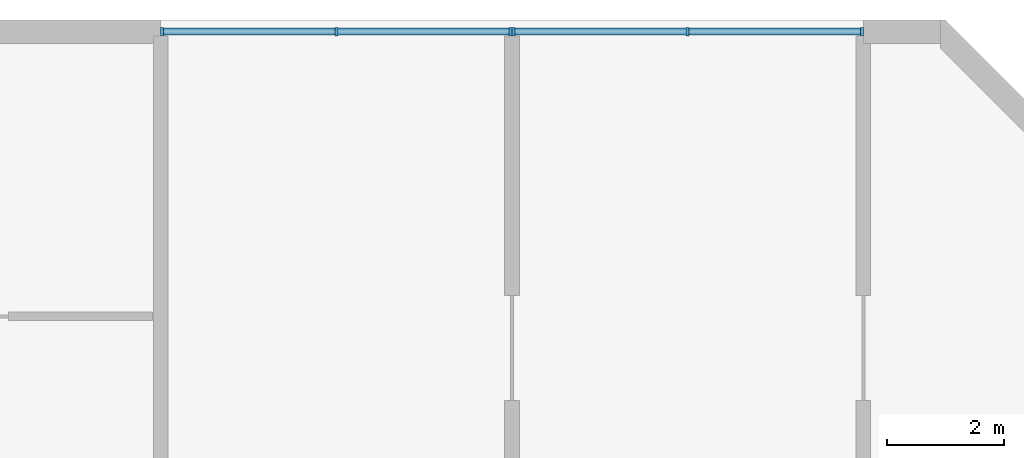
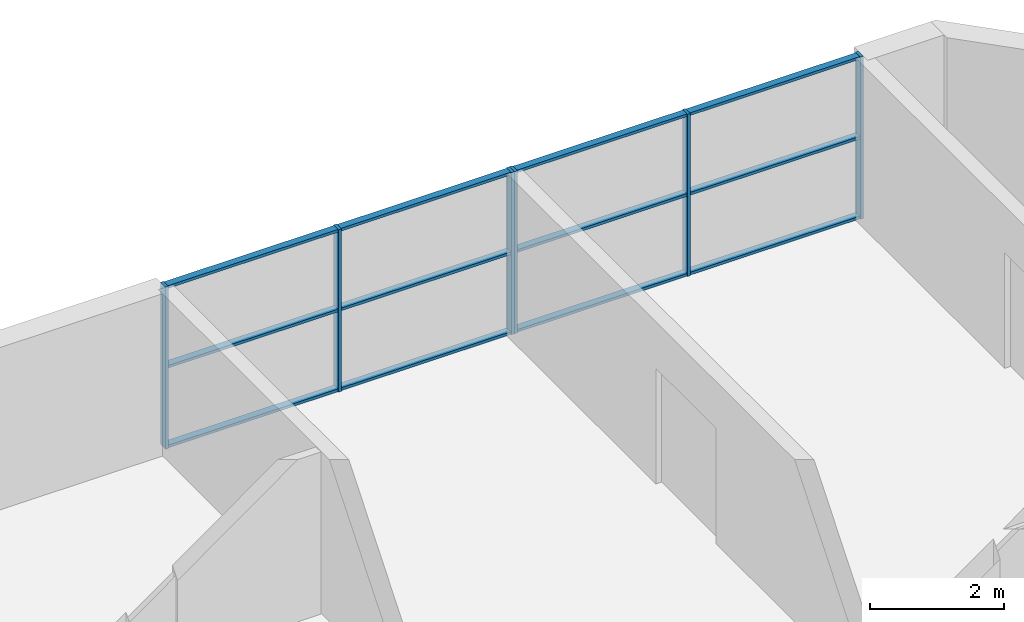
# One storey, part 3 of 13: 18 members, 2 elements without a shape of their own.
"""IFC4 building model written with IfcOpenShell, lengths in metres."""

import ifcopenshell
import ifcopenshell.guid

model = None  # the IFC model being written
_history = None  # IfcOwnerHistory: only IFC2X3 demands one
_inside = {}  # id of a spatial element -> (the spatial element, [elements in it])
_under = {}  # id of a project, library or spatial element -> (it, [spatial elements below it])
_declared = {}  # id of a project -> (the project, [libraries it declares])
_typed = {}  # id of a type object -> (the type object, [elements of that type])
_made_of = {}  # id of a material, layer set ... -> (it, [elements and type objects made of it])


def new_model(schema):
    """Start an empty IFC model of exactly this schema.

    Asked for "IFC4X3", IfcOpenShell would pick the latest addendum, in which some entities
    have other attributes; the version numbers below select the first issue.
    IFC2X3 requires an IfcOwnerHistory on every rooted entity: one is made here for all.
    """
    global model, _history
    if schema == "IFC4X3":
        model = ifcopenshell.file(schema_version=(4, 3, 0, 0))
    else:
        model = ifcopenshell.file(schema=schema)
    _inside.clear()
    _under.clear()
    _declared.clear()
    _typed.clear()
    _made_of.clear()
    _history = None
    if model.schema == "IFC2X3":
        org = make("IfcOrganization", Name="unknown")
        user = make(
            "IfcPersonAndOrganization",
            ThePerson=make("IfcPerson", FamilyName="unknown"),
            TheOrganization=org,
        )
        app = make(
            "IfcApplication",
            ApplicationDeveloper=org,
            Version="unknown",
            ApplicationFullName="unknown",
            ApplicationIdentifier="unknown",
        )
        _history = make(
            "IfcOwnerHistory",
            OwningUser=user,
            OwningApplication=app,
            ChangeAction="ADDED",
            CreationDate=0,
        )
    return model


def make(cls, **values):
    """One entity of the class cls with the attributes given. An attribute that is None is left unset."""
    return model.create_entity(
        cls, **{name: value for name, value in values.items() if value is not None}
    )


def rooted(cls, **values):
    """An entity with a GlobalId (a new one), such as an element, a storey or a relation."""
    return make(cls, GlobalId=ifcopenshell.guid.new(), OwnerHistory=_history, **values)


def si_unit(unit_type, name, prefix=None):
    """IfcSIUnit, for example si_unit("LENGTHUNIT", "METRE", prefix="MILLI")."""
    return make("IfcSIUnit", UnitType=unit_type, Prefix=prefix, Name=name)


def assignment(units):
    """IfcUnitAssignment: the units of a project."""
    return None if units is None else make("IfcUnitAssignment", Units=units)


def point(xyz):
    """IfcCartesianPoint."""
    return None if xyz is None else make("IfcCartesianPoint", Coordinates=xyz)


def direction(xyz):
    """IfcDirection."""
    return None if xyz is None else make("IfcDirection", DirectionRatios=xyz)


def frame(location, z_axis=None, x_axis=None):
    """IfcAxis2Placement3D, a coordinate frame: its origin and axes. An axis left out is left unset."""
    return make(
        "IfcAxis2Placement3D",
        Location=point(location),
        Axis=direction(z_axis),
        RefDirection=direction(x_axis),
    )


def frame_2d(location, x_axis=None):
    """IfcAxis2Placement2D, a coordinate frame in the plane: its origin and x axis."""
    return make(
        "IfcAxis2Placement2D", Location=point(location), RefDirection=direction(x_axis)
    )


def origin():
    """The frame at (0, 0, 0) with its axes left unset."""
    return frame((0.0, 0.0, 0.0))


def origin_2d():
    """The frame at (0, 0) in the plane with its x axis left unset."""
    return frame_2d((0.0, 0.0))


def place(relative_to, where):
    """IfcLocalPlacement: puts the frame where relative to a parent placement (None: the world)."""
    return make(
        "IfcLocalPlacement", PlacementRelTo=relative_to, RelativePlacement=where
    )


def context(
    kind, dimensions, precision=None, world=None, true_north=None, identifier=None
):
    """IfcGeometricRepresentationContext, for example the 3D "Model" context."""
    return make(
        "IfcGeometricRepresentationContext",
        ContextIdentifier=identifier,
        ContextType=kind,
        CoordinateSpaceDimension=dimensions,
        Precision=precision,
        WorldCoordinateSystem=world,
        TrueNorth=true_north,
    )


def subcontext(parent, identifier, kind, view, scale=None):
    """IfcGeometricRepresentationSubContext, for example "Body" below "Model"."""
    return make(
        "IfcGeometricRepresentationSubContext",
        ContextIdentifier=identifier,
        ContextType=kind,
        ParentContext=parent,
        TargetScale=scale,
        TargetView=view,
    )


def project(units=None, contexts=None):
    """IfcProject with its units and contexts."""
    return rooted(
        "IfcProject",
        Name="project",
        RepresentationContexts=contexts,
        UnitsInContext=assignment(units),
    )


def spatial(cls, under=None, at=None, **own):
    """A site, building, storey or space (cls), placed at a placement, below another one or the project."""
    s = rooted(cls, ObjectPlacement=at, **own)
    if under is not None:
        _under.setdefault(under.id(), (under, []))[1].append(s)
    return s


def profile(cls, at=None, kind="AREA", **sizes):
    """A parametric profile (cls). Its sizes go by their IFC names, for example OverallWidth=200.0."""
    return make(cls, ProfileType=kind, Position=at, **sizes)


def rectangle(**sizes):
    """IfcRectangleProfileDef."""
    return profile("IfcRectangleProfileDef", **sizes)


def extrude(swept, where, along, depth):
    """IfcExtrudedAreaSolid: the profile swept, set in the frame where, extruded along a direction by depth."""
    return make(
        "IfcExtrudedAreaSolid",
        SweptArea=swept,
        Position=where,
        ExtrudedDirection=direction(along),
        Depth=depth,
    )


def shape(context_of_items, identifier, shape_type, items):
    """IfcShapeRepresentation: the items that make up one representation, for example the "Body"."""
    return make(
        "IfcShapeRepresentation",
        ContextOfItems=context_of_items,
        RepresentationIdentifier=identifier,
        RepresentationType=shape_type,
        Items=items,
    )


def material(Name=None, Category=None):
    """IfcMaterial."""
    return make("IfcMaterial", Name=Name, Category=Category)


def layer(
    of_material, thickness, ventilated=None, Name=None, Category=None, Priority=None
):
    """IfcMaterialLayer: one layer of a wall or slab, of a material (None: an air gap)."""
    return make(
        "IfcMaterialLayer",
        Material=of_material,
        LayerThickness=thickness,
        IsVentilated=ventilated,
        Name=Name,
        Category=Category,
        Priority=Priority,
    )


def layer_set(layers, Name=None):
    """IfcMaterialLayerSet."""
    return make("IfcMaterialLayerSet", MaterialLayers=layers, LayerSetName=Name)


def material_profile(
    of_material, cross_section, Name=None, Category=None, Priority=None
):
    """IfcMaterialProfile: a cross section and its material."""
    return make(
        "IfcMaterialProfile",
        Name=Name,
        Material=of_material,
        Profile=cross_section,
        Priority=Priority,
        Category=Category,
    )


def profile_set(profiles, Name=None, composite=None):
    """IfcMaterialProfileSet."""
    return make(
        "IfcMaterialProfileSet",
        Name=Name,
        MaterialProfiles=profiles,
        CompositeProfile=composite,
    )


def made_of(thing, what):
    """Note that an element or type object is made of a material, layer set ...; save() writes the relation."""
    if what is not None:
        _made_of.setdefault(what.id(), (what, []))[1].append(thing)
    return thing


def type_object(cls, material=None, **own):
    """A type object (cls), such as IfcWallType, which elements share."""
    return made_of(rooted(cls, **own), material)


def element(
    cls,
    number,
    at=None,
    inside=None,
    cuts=None,
    type_object=None,
    material=None,
    context=None,
    identifier="Body",
    shape_type=None,
    held_by="IfcProductDefinitionShape",
    body=None,
    shapes=None,
    **own,
):
    """One element of the class cls, such as IfcWall. Its Tag is "e" and its number.

    at: its placement. inside: the storey or other place that contains it. cuts: it is an
    opening in that element (IfcRelVoidsElement). A single representation is given by context,
    identifier, shape_type and body (its items); several are given by shapes. held_by: the class
    of the entity that holds the representations. save() writes the other relations.
    """
    e = rooted(cls, Tag="e%d" % number, ObjectPlacement=at, **own)
    if body is not None:
        shapes = [shape(context, identifier, shape_type, body)]
    if shapes is not None:
        e.Representation = make(held_by, Representations=shapes)
    if inside is not None:
        _inside.setdefault(inside.id(), (inside, []))[1].append(e)
    if cuts is not None:
        rooted(
            "IfcRelVoidsElement", RelatingBuildingElement=cuts, RelatedOpeningElement=e
        )
    if type_object is not None:
        _typed.setdefault(type_object.id(), (type_object, []))[1].append(e)
    return made_of(e, material)


def aggregate(whole, parts):
    """IfcRelAggregates: a whole, such as a stair, and the parts it consists of."""
    return rooted("IfcRelAggregates", RelatingObject=whole, RelatedObjects=parts)


def save(model, path):
    """Write the relations noted so far, then the file.

    IfcRelAggregates (storeys below a building ...), IfcRelContainedInSpatialStructure (elements
    in a storey), IfcRelDefinesByType, IfcRelAssociatesMaterial and IfcRelDeclares: one each for
    every whole, place, type object, material and project.
    """
    for whole, parts in _under.values():
        aggregate(whole, parts)
    for where, things in _inside.values():
        rooted(
            "IfcRelContainedInSpatialStructure",
            RelatedElements=things,
            RelatingStructure=where,
        )
    for kind, things in _typed.values():
        rooted("IfcRelDefinesByType", RelatedObjects=things, RelatingType=kind)
    for what, things in _made_of.values():
        rooted("IfcRelAssociatesMaterial", RelatedObjects=things, RelatingMaterial=what)
    for by, libraries in _declared.values():
        rooted("IfcRelDeclares", RelatingContext=by, RelatedDefinitions=libraries)
    model.write(path)


model = new_model("IFC4")

# Units and contexts
model_context = context("Model", 3, precision=1e-05, world=origin(), true_north=direction((0.0, 1.0)))
body_context = subcontext(model_context, "Body", "Model", "MODEL_VIEW")
ifc_project = project(units=[si_unit("LENGTHUNIT", "METRE"), si_unit("AREAUNIT", "SQUARE_METRE"), si_unit("VOLUMEUNIT", "CUBIC_METRE"), si_unit("PLANEANGLEUNIT", "RADIAN"), si_unit("MASSUNIT", "GRAM", prefix="KILO")], contexts=[model_context])

# Site, building, storey
site_placement = place(None, origin())
site = spatial("IfcSite", under=ifc_project, at=site_placement, CompositionType="ELEMENT")
building_placement = place(site_placement, origin())
building = spatial("IfcBuilding", under=site, at=building_placement, Name="Poui Terraces", CompositionType="ELEMENT")
storey_placement = place(building_placement, frame((0.0, 0.0, 211.5)))
storey = spatial("IfcBuildingStorey", under=building, at=storey_placement, Name="L59", CompositionType="ELEMENT", Elevation=211.5)

# Curtain wall, members
ifc_material_1 = material(Name="Clear glass", Category="glass")
ifc_layer = layer(ifc_material_1, 0.14990234375)
ifc_layer_set = layer_set([ifc_layer], Name="Clear glass")
curtain_wall_type = type_object("IfcCurtainWallType", Name="CURTAIN WALL CW-C COMMUNITY HALL GLAZING", PredefinedType="NOTDEFINED", material=ifc_layer_set)
curtain_wall_1_placement = place(storey_placement, origin())
curtain_wall_1 = element("IfcCurtainWall", 1, at=curtain_wall_1_placement, inside=storey, type_object=curtain_wall_type, Name="CW-C COMMUNITY HALL GLAZING", PredefinedType="NOTDEFINED")
ifc_material_2 = material(Name="Aluminium frame", Category="aluminium")
ifc_material_profile_1 = material_profile(ifc_material_2, rectangle(XDim=0.14990234375, YDim=0.050048828125, at=origin_2d()), Name="CW-C MULLION 50X150")
ifc_profile_set_1 = profile_set([ifc_material_profile_1], Name="Aluminium frame")
member_type_1 = type_object("IfcMemberType", Name="CW-C MULLION 50X150", PredefinedType="MULLION", material=ifc_profile_set_1)
member_1_placement = place(storey_placement, frame((71.97509765625, 41.199951171875, 0.0), z_axis=(0.0, 0.0, 1.0), x_axis=(0.0, -1.0, 0.0)))
member_1 = element("IfcMember", 2, at=member_1_placement, type_object=member_type_1, Name="CW-C mullion 1", PredefinedType="MULLION", context=body_context, shape_type="SweptSolid", body=[
    extrude(rectangle(XDim=0.14990234375, YDim=0.050048828125, at=origin_2d()), origin(), (0.0, 0.0, 1.0), 2.949951171875),
])
member_2_placement = place(storey_placement, frame((69.0, 41.199951171875, 0.0), z_axis=(0.0, 0.0, 1.0), x_axis=(0.0, -1.0, 0.0)))
member_2 = element("IfcMember", 3, at=member_2_placement, type_object=member_type_1, Name="CW-C mullion 2", PredefinedType="MULLION", context=body_context, shape_type="SweptSolid", body=[
    extrude(rectangle(XDim=0.14990234375, YDim=0.050048828125, at=origin_2d()), origin(), (0.0, 0.0, 1.0), 2.949951171875),
])
member_3_placement = place(storey_placement, frame((66.02490234375, 41.199951171875, 0.0), z_axis=(0.0, 0.0, 1.0), x_axis=(0.0, -1.0, 0.0)))
member_3 = element("IfcMember", 4, at=member_3_placement, type_object=member_type_1, Name="CW-C mullion 3", PredefinedType="MULLION", context=body_context, shape_type="SweptSolid", body=[
    extrude(rectangle(XDim=0.14990234375, YDim=0.050048828125, at=origin_2d()), origin(), (0.0, 0.0, 1.0), 2.949951171875),
])

curtain_wall_2_placement = place(storey_placement, origin())
curtain_wall_2 = element("IfcCurtainWall", 5, at=curtain_wall_2_placement, inside=storey, type_object=curtain_wall_type, Name="CW-C COMMUNITY HALL GLAZING", PredefinedType="NOTDEFINED")
member_4_placement = place(storey_placement, frame((77.97509765625, 41.199951171875, 0.0), z_axis=(0.0, 0.0, 1.0), x_axis=(0.0, -1.0, 0.0)))
member_4 = element("IfcMember", 6, at=member_4_placement, type_object=member_type_1, Name="CW-C mullion 1", PredefinedType="MULLION", context=body_context, shape_type="SweptSolid", body=[
    extrude(rectangle(XDim=0.14990234375, YDim=0.050048828125, at=origin_2d()), origin(), (0.0, 0.0, 1.0), 2.949951171875),
])
member_5_placement = place(storey_placement, frame((75.0, 41.199951171875, 0.0), z_axis=(0.0, 0.0, 1.0), x_axis=(0.0, -1.0, 0.0)))
member_5 = element("IfcMember", 7, at=member_5_placement, type_object=member_type_1, Name="CW-C mullion 2", PredefinedType="MULLION", context=body_context, shape_type="SweptSolid", body=[
    extrude(rectangle(XDim=0.14990234375, YDim=0.050048828125, at=origin_2d()), origin(), (0.0, 0.0, 1.0), 2.949951171875),
])
member_6_placement = place(storey_placement, frame((72.02490234375, 41.199951171875, 0.0), z_axis=(0.0, 0.0, 1.0), x_axis=(0.0, -1.0, 0.0)))
member_6 = element("IfcMember", 8, at=member_6_placement, type_object=member_type_1, Name="CW-C mullion 3", PredefinedType="MULLION", context=body_context, shape_type="SweptSolid", body=[
    extrude(rectangle(XDim=0.14990234375, YDim=0.050048828125, at=origin_2d()), origin(), (0.0, 0.0, 1.0), 2.949951171875),
])

# Member
ifc_material_profile_2 = material_profile(ifc_material_2, rectangle(XDim=0.1201171875, YDim=0.050048828125, at=origin_2d()), Name="CW-C TRANSOM 50X120")
ifc_profile_set_2 = profile_set([ifc_material_profile_2], Name="Aluminium frame")
member_type_2 = type_object("IfcMemberType", Name="CW-C TRANSOM 50X120", PredefinedType="USERDEFINED", material=ifc_profile_set_2)
member_7_placement = place(storey_placement, frame((71.949951171875, 41.199951171875, 0.02490234375), z_axis=(-1.0, 0.0, 0.0), x_axis=(0.0, -1.0, 0.0)))
member_7 = element("IfcMember", 9, at=member_7_placement, type_object=member_type_2, Name="CW-C transom 1.1", ObjectType="TRANSOM", PredefinedType="USERDEFINED", context=body_context, shape_type="SweptSolid", body=[
    extrude(rectangle(XDim=0.1201171875, YDim=0.050048828125, at=origin_2d()), origin(), (0.0, 0.0, 1.0), 2.925048828125),
])

member_8_placement = place(storey_placement, frame((71.949951171875, 41.199951171875, 1.47509765625), z_axis=(-1.0, 0.0, 0.0), x_axis=(0.0, -1.0, 0.0)))
member_8 = element("IfcMember", 10, at=member_8_placement, type_object=member_type_2, Name="CW-C transom 1.2", ObjectType="TRANSOM", PredefinedType="USERDEFINED", context=body_context, shape_type="SweptSolid", body=[
    extrude(rectangle(XDim=0.1201171875, YDim=0.050048828125, at=origin_2d()), origin(), (0.0, 0.0, 1.0), 2.925048828125),
])

member_9_placement = place(storey_placement, frame((71.949951171875, 41.199951171875, 2.925048828125), z_axis=(-1.0, 0.0, 0.0), x_axis=(0.0, -1.0, 0.0)))
member_9 = element("IfcMember", 11, at=member_9_placement, type_object=member_type_2, Name="CW-C transom 1.3", ObjectType="TRANSOM", PredefinedType="USERDEFINED", context=body_context, shape_type="SweptSolid", body=[
    extrude(rectangle(XDim=0.1201171875, YDim=0.050048828125, at=origin_2d()), origin(), (0.0, 0.0, 1.0), 2.925048828125),
])

member_10_placement = place(storey_placement, frame((68.97509765625, 41.199951171875, 0.02490234375), z_axis=(-1.0, 0.0, 0.0), x_axis=(0.0, -1.0, 0.0)))
member_10 = element("IfcMember", 12, at=member_10_placement, type_object=member_type_2, Name="CW-C transom 2.1", ObjectType="TRANSOM", PredefinedType="USERDEFINED", context=body_context, shape_type="SweptSolid", body=[
    extrude(rectangle(XDim=0.1201171875, YDim=0.050048828125, at=origin_2d()), origin(), (0.0, 0.0, 1.0), 2.925048828125),
])

member_11_placement = place(storey_placement, frame((68.97509765625, 41.199951171875, 1.47509765625), z_axis=(-1.0, 0.0, 0.0), x_axis=(0.0, -1.0, 0.0)))
member_11 = element("IfcMember", 13, at=member_11_placement, type_object=member_type_2, Name="CW-C transom 2.2", ObjectType="TRANSOM", PredefinedType="USERDEFINED", context=body_context, shape_type="SweptSolid", body=[
    extrude(rectangle(XDim=0.1201171875, YDim=0.050048828125, at=origin_2d()), origin(), (0.0, 0.0, 1.0), 2.925048828125),
])

member_12_placement = place(storey_placement, frame((68.97509765625, 41.199951171875, 2.925048828125), z_axis=(-1.0, 0.0, 0.0), x_axis=(0.0, -1.0, 0.0)))
member_12 = element("IfcMember", 14, at=member_12_placement, type_object=member_type_2, Name="CW-C transom 2.3", ObjectType="TRANSOM", PredefinedType="USERDEFINED", context=body_context, shape_type="SweptSolid", body=[
    extrude(rectangle(XDim=0.1201171875, YDim=0.050048828125, at=origin_2d()), origin(), (0.0, 0.0, 1.0), 2.925048828125),
])

aggregate(curtain_wall_1, [member_1, member_2, member_3, member_7, member_8, member_9, member_10, member_11, member_12])

member_13_placement = place(storey_placement, frame((77.949951171875, 41.199951171875, 0.02490234375), z_axis=(-1.0, 0.0, 0.0), x_axis=(0.0, -1.0, 0.0)))
member_13 = element("IfcMember", 15, at=member_13_placement, type_object=member_type_2, Name="CW-C transom 1.1", ObjectType="TRANSOM", PredefinedType="USERDEFINED", context=body_context, shape_type="SweptSolid", body=[
    extrude(rectangle(XDim=0.1201171875, YDim=0.050048828125, at=origin_2d()), origin(), (0.0, 0.0, 1.0), 2.925048828125),
])

member_14_placement = place(storey_placement, frame((77.949951171875, 41.199951171875, 1.47509765625), z_axis=(-1.0, 0.0, 0.0), x_axis=(0.0, -1.0, 0.0)))
member_14 = element("IfcMember", 16, at=member_14_placement, type_object=member_type_2, Name="CW-C transom 1.2", ObjectType="TRANSOM", PredefinedType="USERDEFINED", context=body_context, shape_type="SweptSolid", body=[
    extrude(rectangle(XDim=0.1201171875, YDim=0.050048828125, at=origin_2d()), origin(), (0.0, 0.0, 1.0), 2.925048828125),
])

member_15_placement = place(storey_placement, frame((77.949951171875, 41.199951171875, 2.925048828125), z_axis=(-1.0, 0.0, 0.0), x_axis=(0.0, -1.0, 0.0)))
member_15 = element("IfcMember", 17, at=member_15_placement, type_object=member_type_2, Name="CW-C transom 1.3", ObjectType="TRANSOM", PredefinedType="USERDEFINED", context=body_context, shape_type="SweptSolid", body=[
    extrude(rectangle(XDim=0.1201171875, YDim=0.050048828125, at=origin_2d()), origin(), (0.0, 0.0, 1.0), 2.925048828125),
])

member_16_placement = place(storey_placement, frame((74.97509765625, 41.199951171875, 0.02490234375), z_axis=(-1.0, 0.0, 0.0), x_axis=(0.0, -1.0, 0.0)))
member_16 = element("IfcMember", 18, at=member_16_placement, type_object=member_type_2, Name="CW-C transom 2.1", ObjectType="TRANSOM", PredefinedType="USERDEFINED", context=body_context, shape_type="SweptSolid", body=[
    extrude(rectangle(XDim=0.1201171875, YDim=0.050048828125, at=origin_2d()), origin(), (0.0, 0.0, 1.0), 2.925048828125),
])

member_17_placement = place(storey_placement, frame((74.97509765625, 41.199951171875, 1.47509765625), z_axis=(-1.0, 0.0, 0.0), x_axis=(0.0, -1.0, 0.0)))
member_17 = element("IfcMember", 19, at=member_17_placement, type_object=member_type_2, Name="CW-C transom 2.2", ObjectType="TRANSOM", PredefinedType="USERDEFINED", context=body_context, shape_type="SweptSolid", body=[
    extrude(rectangle(XDim=0.1201171875, YDim=0.050048828125, at=origin_2d()), origin(), (0.0, 0.0, 1.0), 2.925048828125),
])

member_18_placement = place(storey_placement, frame((74.97509765625, 41.199951171875, 2.925048828125), z_axis=(-1.0, 0.0, 0.0), x_axis=(0.0, -1.0, 0.0)))
member_18 = element("IfcMember", 20, at=member_18_placement, type_object=member_type_2, Name="CW-C transom 2.3", ObjectType="TRANSOM", PredefinedType="USERDEFINED", context=body_context, shape_type="SweptSolid", body=[
    extrude(rectangle(XDim=0.1201171875, YDim=0.050048828125, at=origin_2d()), origin(), (0.0, 0.0, 1.0), 2.925048828125),
])

aggregate(curtain_wall_2, [member_4, member_5, member_6, member_13, member_14, member_15, member_16, member_17, member_18])

save(model, "model.ifc")
